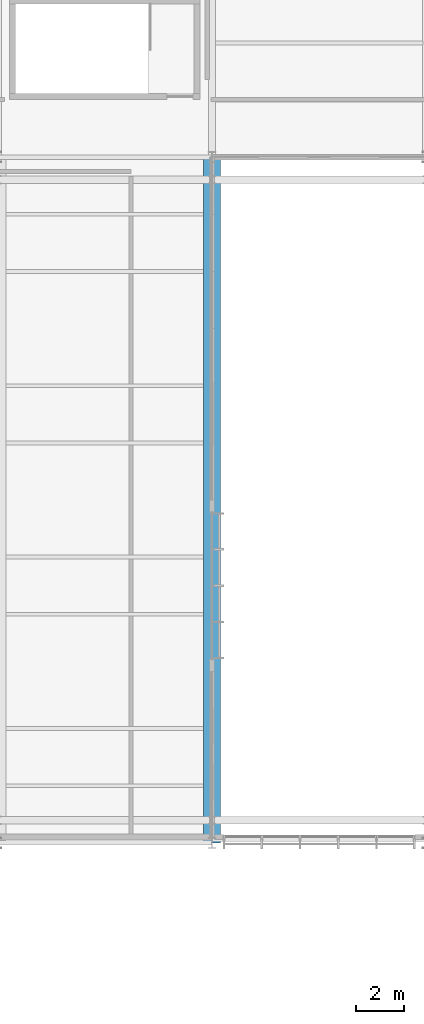
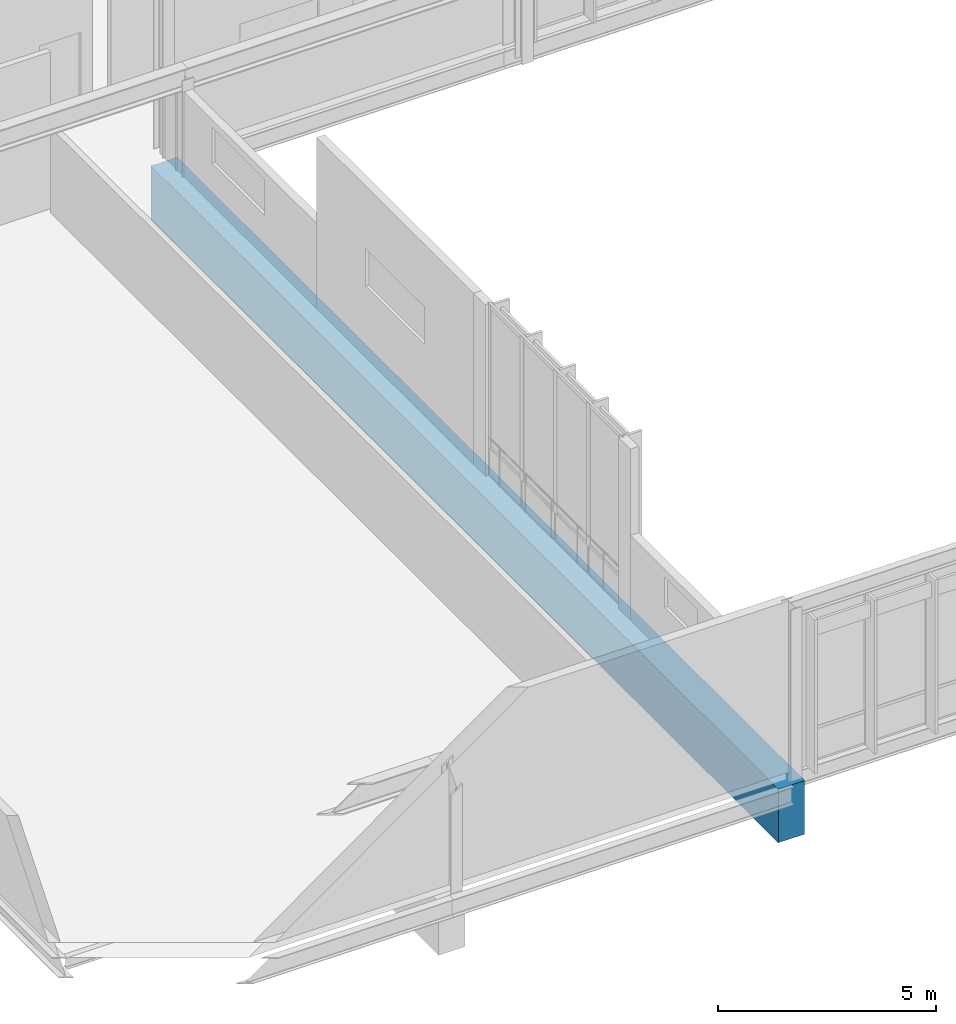
# One storey, part 102 of 177: 1 beam.
"""IFC4 building model written with IfcOpenShell, lengths in metres."""

from ifc_helpers import new_model, si_unit, direction, frame, origin, origin_2d, place, context, subcontext, project, spatial, rectangle, extrude, material, material_profile, profile_set, type_object, element, save


model = new_model("IFC4")

# Units and contexts
model_context = context("Model", 3, precision=1e-05, world=origin(), true_north=direction((0.0, 1.0)))
body_context = subcontext(model_context, "Body", "Model", "MODEL_VIEW")
ifc_project = project(units=[si_unit("LENGTHUNIT", "METRE"), si_unit("AREAUNIT", "SQUARE_METRE"), si_unit("VOLUMEUNIT", "CUBIC_METRE"), si_unit("PLANEANGLEUNIT", "RADIAN"), si_unit("MASSUNIT", "GRAM", prefix="KILO")], contexts=[model_context])

# Site, building, storey
site_placement = place(None, origin())
site = spatial("IfcSite", under=ifc_project, at=site_placement, CompositionType="ELEMENT")
building_placement = place(site_placement, origin())
building = spatial("IfcBuilding", under=site, at=building_placement, Name="Chiffa Square Polytechnic", CompositionType="ELEMENT")
storey_placement = place(building_placement, frame((0.0, 0.0, 4.800048828125)))
storey = spatial("IfcBuildingStorey", under=building, at=storey_placement, Name="L01", CompositionType="ELEMENT", Elevation=4.800048828125)

# Beam
ifc_material = material(Name="Concrete C40/50", Category="concrete")
ifc_material_profile = material_profile(ifc_material, rectangle(XDim=0.699951171875, YDim=1.5, at=origin_2d()), Name="RC 700x1500")
ifc_profile_set = profile_set([ifc_material_profile], Name="Concrete C40/50")
beam_type = type_object("IfcBeamType", Name="BM-RC-700X1500", PredefinedType="BEAM", material=ifc_profile_set)
beam_placement = place(storey_placement, frame((130.199951171875, 58.199951171875, -1.030029296875), z_axis=(0.0, 1.0, 0.0), x_axis=(-1.0, 0.0, 0.0)))
element("IfcBeam", 1, at=beam_placement, inside=storey, type_object=beam_type, Name="Primary floor girder BM-V2-L01-Y-1302-0582", PredefinedType="BEAM", context=body_context, shape_type="SweptSolid", body=[
    extrude(rectangle(XDim=0.699951171875, YDim=1.5, at=origin_2d()), origin(), (0.0, 0.0, 1.0), 28.800048828125),
])

save(model, "model.ifc")
